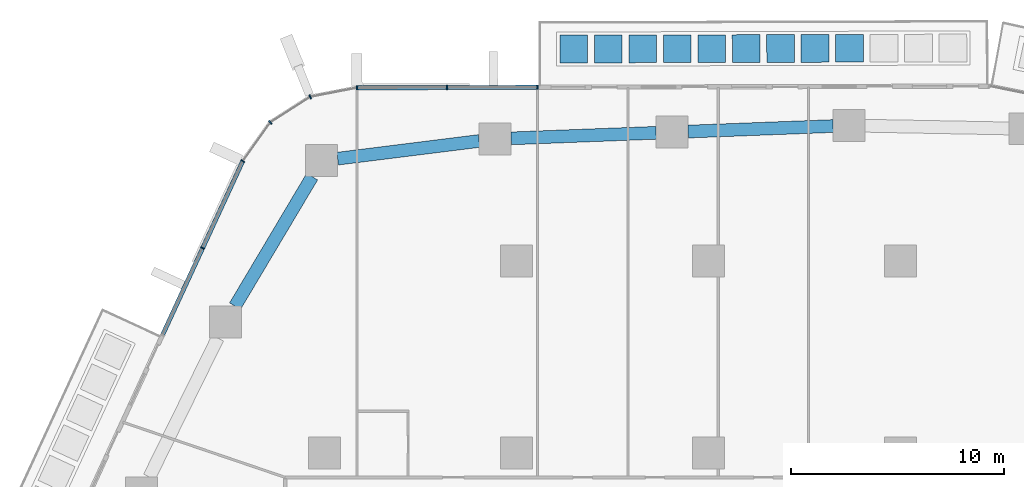
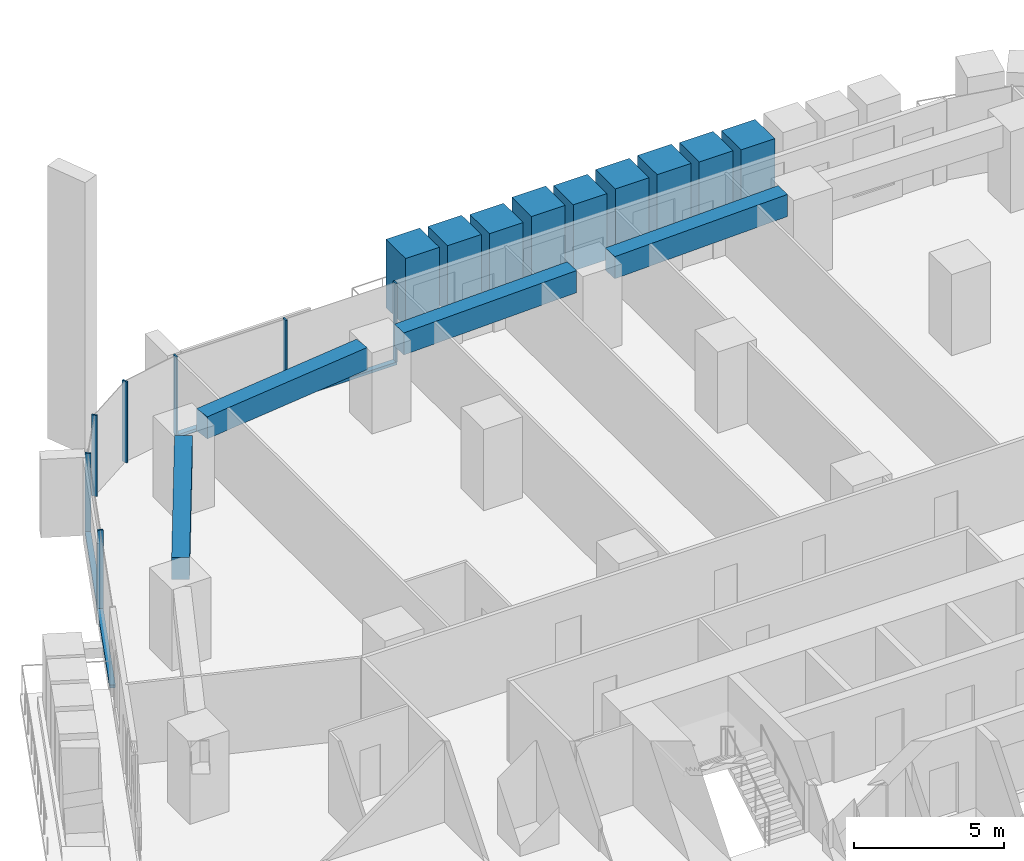
# One storey, part 9 of 27: 18 members, 4 beams, 3 elements without a shape of their own.
"""IFC4 building model written with IfcOpenShell, lengths in metres."""

from ifc_helpers import new_model, si_unit, direction, frame, origin, origin_2d, place, context, subcontext, project, spatial, rectangle, extrude, material, layer, layer_set, material_profile, profile_set, type_object, element, aggregate, save


model = new_model("IFC4")

# Units and contexts
model_context = context("Model", 3, precision=1e-05, world=origin(), true_north=direction((0.0, 1.0)))
body_context = subcontext(model_context, "Body", "Model", "MODEL_VIEW")
ifc_project = project(units=[si_unit("LENGTHUNIT", "METRE"), si_unit("AREAUNIT", "SQUARE_METRE"), si_unit("VOLUMEUNIT", "CUBIC_METRE"), si_unit("PLANEANGLEUNIT", "RADIAN"), si_unit("MASSUNIT", "GRAM", prefix="KILO")], contexts=[model_context])

# Site, building, storey
site_placement = place(None, origin())
site = spatial("IfcSite", under=ifc_project, at=site_placement, CompositionType="ELEMENT")
building_placement = place(site_placement, origin())
building = spatial("IfcBuilding", under=site, at=building_placement, Name="Dongbaek Canopy Tower", CompositionType="ELEMENT")
storey_placement = place(building_placement, frame((0.0, 0.0, 55.10009765625)))
storey = spatial("IfcBuildingStorey", under=building, at=storey_placement, Name="L09", CompositionType="ELEMENT", Elevation=55.10009765625)

# Curtain wall, members
ifc_material_1 = material(Name="Aluminium 6063-T6 pale anodised", Category="aluminium")
ifc_layer = layer(ifc_material_1, 0.199951171875)
ifc_layer_set = layer_set([ifc_layer], Name="CW-1 unitised tower curtain wall")
curtain_wall_type = type_object("IfcCurtainWallType", Name="CW-1 unitised tower curtain wall", PredefinedType="NOTDEFINED", material=ifc_layer_set)
curtain_wall_1_placement = place(storey_placement, origin())
curtain_wall_1 = element("IfcCurtainWall", 1, at=curtain_wall_1_placement, inside=storey, type_object=curtain_wall_type, Name="CW-1 curtain wall F1.1", PredefinedType="NOTDEFINED")
ifc_material_2 = material(Name="Aluminium 6063-T6 pale anodised", Category="aluminium")
ifc_material_profile_1 = material_profile(ifc_material_2, rectangle(XDim=0.199951171875, YDim=0.06005859375, at=origin_2d()), Name="CW-1 mullion 60 x 200")
ifc_profile_set_1 = profile_set([ifc_material_profile_1], Name="Aluminium 6063-T6 pale anodised")
member_type_1 = type_object("IfcMemberType", Name="CW-1 mullion 60 x 200", PredefinedType="MULLION", material=ifc_profile_set_1)
member_1_placement = place(storey_placement, frame((-8.0205078125, 35.13623046875, 0.119873046875), z_axis=(0.0, 0.0, 1.0), x_axis=(-0.002665570299, 0.999996447361, 0.0)))
member_1 = element("IfcMember", 2, at=member_1_placement, type_object=member_type_1, Name="CW-1 mullion F1.1.1", PredefinedType="MULLION", context=body_context, shape_type="SweptSolid", body=[
    extrude(rectangle(XDim=0.199951171875, YDim=0.06005859375, at=origin_2d()), origin(), (0.0, 0.0, 1.0), 3.179931640625),
])
member_2_placement = place(storey_placement, frame((-12.258056640625, 35.124755859375, 0.119873046875), z_axis=(0.0, 0.0, 1.0), x_axis=(-0.002665570299, 0.999996447361, 0.0)))
member_2 = element("IfcMember", 3, at=member_2_placement, type_object=member_type_1, Name="CW-1 mullion F1.1.2", PredefinedType="MULLION", context=body_context, shape_type="SweptSolid", body=[
    extrude(rectangle(XDim=0.199951171875, YDim=0.06005859375, at=origin_2d()), origin(), (0.0, 0.0, 1.0), 3.179931640625),
])
member_3_placement = place(storey_placement, frame((-16.486083984375, 35.113525390625, 0.119873046875), z_axis=(0.0, 0.0, 1.0), x_axis=(-0.002665570299, 0.999996447361, 0.0)))
member_3 = element("IfcMember", 4, at=member_3_placement, type_object=member_type_1, Name="CW-1 mullion F1.1.3", PredefinedType="MULLION", context=body_context, shape_type="SweptSolid", body=[
    extrude(rectangle(XDim=0.199951171875, YDim=0.06005859375, at=origin_2d()), origin(), (0.0, 0.0, 1.0), 3.179931640625),
])

curtain_wall_2_placement = place(storey_placement, origin())
curtain_wall_2 = element("IfcCurtainWall", 5, at=curtain_wall_2_placement, inside=storey, type_object=curtain_wall_type, Name="CW-1 curtain wall K2.1", PredefinedType="NOTDEFINED")
member_4_placement = place(storey_placement, frame((-18.6748046875, 34.68798828125, 0.0), z_axis=(0.0, 0.0, 1.0), x_axis=(-0.372155776445, 0.928170285055, 0.0)))
member_4 = element("IfcMember", 6, at=member_4_placement, type_object=member_type_1, Name="CW-1 mullion K2.1.2", PredefinedType="MULLION", context=body_context, shape_type="SweptSolid", body=[
    extrude(rectangle(XDim=0.199951171875, YDim=0.06005859375, at=origin_2d()), origin(), (0.0, 0.0, 1.0), 3.2998046875),
])
member_5_placement = place(storey_placement, frame((-20.543212890625, 33.48876953125, 0.0), z_axis=(0.0, 0.0, 1.0), x_axis=(-0.688918204153, 0.7248390911, 0.0)))
member_5 = element("IfcMember", 7, at=member_5_placement, type_object=member_type_1, Name="CW-1 mullion K2.1.3", PredefinedType="MULLION", context=body_context, shape_type="SweptSolid", body=[
    extrude(rectangle(XDim=0.199951171875, YDim=0.06005859375, at=origin_2d()), origin(), (0.0, 0.0, 1.0), 3.2998046875),
])
member_6_placement = place(storey_placement, frame((-21.84130859375, 31.676025390625, 0.0), z_axis=(0.0, 0.0, 1.0), x_axis=(-0.813024440327, 0.58222955905, 0.0)))
member_6 = element("IfcMember", 8, at=member_6_placement, type_object=member_type_1, Name="CW-1 mullion K2.1.4", PredefinedType="MULLION", context=body_context, shape_type="SweptSolid", body=[
    extrude(rectangle(XDim=0.199951171875, YDim=0.06005859375, at=origin_2d()), origin(), (0.0, 0.0, 1.0), 3.2998046875),
])
aggregate(curtain_wall_2, [member_4, member_5, member_6])

# Curtain wall, member
curtain_wall_3_placement = place(storey_placement, origin())
curtain_wall_3 = element("IfcCurtainWall", 9, at=curtain_wall_3_placement, inside=storey, type_object=curtain_wall_type, Name="CW-1 curtain wall F2.1", PredefinedType="NOTDEFINED")
member_7_placement = place(storey_placement, frame((-23.71923828125, 27.604248046875, 0.119873046875), z_axis=(0.0, 0.0, 1.0), x_axis=(-0.908073315942, 0.418811237761, 0.0)))
member_7 = element("IfcMember", 10, at=member_7_placement, type_object=member_type_1, Name="CW-1 mullion F2.1.2", PredefinedType="MULLION", context=body_context, shape_type="SweptSolid", body=[
    extrude(rectangle(XDim=0.199951171875, YDim=0.06005859375, at=origin_2d()), origin(), (0.0, 0.0, 1.0), 3.179931640625),
])

# Member
ifc_material_3 = material(Name="Aluminium 6063-T6 pale anodised", Category="aluminium")
ifc_material_profile_2 = material_profile(ifc_material_3, rectangle(XDim=0.199951171875, YDim=0.1201171875, at=origin_2d()), Name="CW-1 transom 120 x 200")
ifc_profile_set_2 = profile_set([ifc_material_profile_2], Name="Aluminium 6063-T6 pale anodised")
member_type_2 = type_object("IfcMemberType", Name="CW-1 transom 120 x 200", PredefinedType="USERDEFINED", material=ifc_profile_set_2)
member_8_placement = place(storey_placement, frame((-8.0205078125, 35.13623046875, 0.059814453125), z_axis=(-0.99999640333, -0.002682037938, 0.0), x_axis=(0.002682037938, -0.99999640333, 0.0)))
member_8 = element("IfcMember", 11, at=member_8_placement, type_object=member_type_2, Name="CW-1 transom F1.1.1", ObjectType="TRANSOM", PredefinedType="USERDEFINED", context=body_context, shape_type="SweptSolid", body=[
    extrude(rectangle(XDim=0.199951171875, YDim=0.1201171875, at=origin_2d()), origin(), (0.0, 0.0, 1.0), 8.465576171875),
])

aggregate(curtain_wall_1, [member_1, member_2, member_3, member_8])

member_9_placement = place(storey_placement, frame((-21.84130859375, 31.676025390625, 0.059814453125), z_axis=(-0.418816716201, -0.908070789218, 0.0), x_axis=(0.908070789218, -0.418816716201, 0.0)))
member_9 = element("IfcMember", 12, at=member_9_placement, type_object=member_type_2, Name="CW-1 transom F2.1.1", ObjectType="TRANSOM", PredefinedType="USERDEFINED", context=body_context, shape_type="SweptSolid", body=[
    extrude(rectangle(XDim=0.199951171875, YDim=0.1201171875, at=origin_2d()), origin(), (0.0, 0.0, 1.0), 8.97705078125),
])

aggregate(curtain_wall_3, [member_7, member_9])

# Beams
ifc_material_4 = material(Name="Concrete C80", Category="concrete")
ifc_material_profile_3 = material_profile(ifc_material_4, rectangle(XDim=0.60009765625, YDim=0.89990234375, at=origin_2d()), Name="RC EDGE BEAM 600x900 C80")
ifc_profile_set_3 = profile_set([ifc_material_profile_3], Name="Concrete C80")
beam_type = type_object("IfcBeamType", Name="RC EDGE BEAM 600x900 C80", PredefinedType="BEAM", material=ifc_profile_set_3)
beam_1_placement = place(storey_placement, frame((-22.201416015625, 24.875, 2.849853515625), z_axis=(0.511536684445, 0.859261438951, 0.0), x_axis=(-0.859261438951, 0.511536684445, 0.0)))
element("IfcBeam", 13, at=beam_1_placement, inside=storey, type_object=beam_type, Name="EDGEBEAM:L09:12", PredefinedType="BEAM", context=body_context, shape_type="SweptSolid", body=[
    extrude(rectangle(XDim=0.60009765625, YDim=0.89990234375, at=origin_2d()), origin(), (0.0, 0.0, 1.0), 7.06884765625),
])
beam_2_placement = place(storey_placement, frame((-17.388916015625, 31.79248046875, 2.849853515625), z_axis=(0.992300337098, 0.123854919137, 0.0), x_axis=(-0.123854919137, 0.992300337098, 0.0)))
element("IfcBeam", 14, at=beam_2_placement, inside=storey, type_object=beam_type, Name="EDGEBEAM:L09:13", PredefinedType="BEAM", context=body_context, shape_type="SweptSolid", body=[
    extrude(rectangle(XDim=0.60009765625, YDim=0.89990234375, at=origin_2d()), origin(), (0.0, 0.0, 1.0), 6.684326171875),
])
beam_3_placement = place(storey_placement, frame((-9.256103515625, 32.74267578125, 2.849853515625), z_axis=(0.999265250645, 0.038326999019, 0.0), x_axis=(-0.038326999019, 0.999265250645, 0.0)))
element("IfcBeam", 15, at=beam_3_placement, inside=storey, type_object=beam_type, Name="EDGEBEAM:L09:14", PredefinedType="BEAM", context=body_context, shape_type="SweptSolid", body=[
    extrude(rectangle(XDim=0.60009765625, YDim=0.89990234375, at=origin_2d()), origin(), (0.0, 0.0, 1.0), 6.802978515625),
])
beam_4_placement = place(storey_placement, frame((-0.9580078125, 33.060791015625, 2.849853515625), z_axis=(0.99927189778, 0.038153300073, 0.0), x_axis=(-0.038153300073, 0.99927189778, 0.0)))
element("IfcBeam", 16, at=beam_4_placement, inside=storey, type_object=beam_type, Name="EDGEBEAM:L09:15", PredefinedType="BEAM", context=body_context, shape_type="SweptSolid", body=[
    extrude(rectangle(XDim=0.60009765625, YDim=0.89990234375, at=origin_2d()), origin(), (0.0, 0.0, 1.0), 6.802001953125),
])

# Members
ifc_material_5 = material(Name="Concrete C40/50 planter mass with planting", Category="concrete")
ifc_material_profile_4 = material_profile(ifc_material_5, rectangle(XDim=1.300048828125, YDim=1.300048828125, at=origin_2d()), Name="Terrace PLANTER shrub mass 1300 x 1300")
ifc_profile_set_4 = profile_set([ifc_material_profile_4], Name="Concrete C40/50 planter mass with planting")
member_type_3 = type_object("IfcMemberType", Name="Terrace PLANTER shrub mass 1300 x 1300", PredefinedType="USERDEFINED", material=ifc_profile_set_4)
member_10_placement = place(storey_placement, frame((6.607666015625, 36.965087890625, 0.419921875), z_axis=(0.0, 0.0, 1.0), x_axis=(-0.002665570299, 0.999996447361, 0.0)))
element("IfcMember", 17, at=member_10_placement, inside=storey, type_object=member_type_3, Name="Planter shrubs L09 2.4", ObjectType="PLANTER", PredefinedType="USERDEFINED", context=body_context, shape_type="SweptSolid", body=[
    extrude(rectangle(XDim=1.300048828125, YDim=1.300048828125, at=origin_2d()), origin(), (0.0, 0.0, 1.0), 2.64990234375),
])
member_11_placement = place(storey_placement, frame((4.991943359375, 36.9609375, 0.419921875), z_axis=(0.0, 0.0, 1.0), x_axis=(-0.002665570299, 0.999996447361, 0.0)))
element("IfcMember", 18, at=member_11_placement, inside=storey, type_object=member_type_3, Name="Planter shrubs L09 2.5", ObjectType="PLANTER", PredefinedType="USERDEFINED", context=body_context, shape_type="SweptSolid", body=[
    extrude(rectangle(XDim=1.300048828125, YDim=1.300048828125, at=origin_2d()), origin(), (0.0, 0.0, 1.0), 2.72998046875),
])
member_12_placement = place(storey_placement, frame((3.37646484375, 36.95654296875, 0.419921875), z_axis=(0.0, 0.0, 1.0), x_axis=(-0.002665570299, 0.999996447361, 0.0)))
element("IfcMember", 19, at=member_12_placement, inside=storey, type_object=member_type_3, Name="Planter shrubs L09 2.6", ObjectType="PLANTER", PredefinedType="USERDEFINED", context=body_context, shape_type="SweptSolid", body=[
    extrude(rectangle(XDim=1.300048828125, YDim=1.300048828125, at=origin_2d()), origin(), (0.0, 0.0, 1.0), 2.780029296875),
])
member_13_placement = place(storey_placement, frame((1.7607421875, 36.9521484375, 0.419921875), z_axis=(0.0, 0.0, 1.0), x_axis=(-0.002665570299, 0.999996447361, 0.0)))
element("IfcMember", 20, at=member_13_placement, inside=storey, type_object=member_type_3, Name="Planter shrubs L09 2.7", ObjectType="PLANTER", PredefinedType="USERDEFINED", context=body_context, shape_type="SweptSolid", body=[
    extrude(rectangle(XDim=1.300048828125, YDim=1.300048828125, at=origin_2d()), origin(), (0.0, 0.0, 1.0), 2.77001953125),
])
member_14_placement = place(storey_placement, frame((0.14501953125, 36.947998046875, 0.419921875), z_axis=(0.0, 0.0, 1.0), x_axis=(-0.002665570299, 0.999996447361, 0.0)))
element("IfcMember", 21, at=member_14_placement, inside=storey, type_object=member_type_3, Name="Planter shrubs L09 2.8", ObjectType="PLANTER", PredefinedType="USERDEFINED", context=body_context, shape_type="SweptSolid", body=[
    extrude(rectangle(XDim=1.300048828125, YDim=1.300048828125, at=origin_2d()), origin(), (0.0, 0.0, 1.0), 2.68994140625),
])
member_15_placement = place(storey_placement, frame((-1.470458984375, 36.943603515625, 0.419921875), z_axis=(0.0, 0.0, 1.0), x_axis=(-0.002665570299, 0.999996447361, 0.0)))
element("IfcMember", 22, at=member_15_placement, inside=storey, type_object=member_type_3, Name="Planter shrubs L09 2.9", ObjectType="PLANTER", PredefinedType="USERDEFINED", context=body_context, shape_type="SweptSolid", body=[
    extrude(rectangle(XDim=1.300048828125, YDim=1.300048828125, at=origin_2d()), origin(), (0.0, 0.0, 1.0), 2.780029296875),
])
member_16_placement = place(storey_placement, frame((-3.086181640625, 36.939208984375, 0.419921875), z_axis=(0.0, 0.0, 1.0), x_axis=(-0.002665570299, 0.999996447361, 0.0)))
element("IfcMember", 23, at=member_16_placement, inside=storey, type_object=member_type_3, Name="Planter shrubs L09 2.10", ObjectType="PLANTER", PredefinedType="USERDEFINED", context=body_context, shape_type="SweptSolid", body=[
    extrude(rectangle(XDim=1.300048828125, YDim=1.300048828125, at=origin_2d()), origin(), (0.0, 0.0, 1.0), 2.64990234375),
])
member_17_placement = place(storey_placement, frame((-4.701904296875, 36.93505859375, 0.419921875), z_axis=(0.0, 0.0, 1.0), x_axis=(-0.002665570299, 0.999996447361, 0.0)))
element("IfcMember", 24, at=member_17_placement, inside=storey, type_object=member_type_3, Name="Planter shrubs L09 2.11", ObjectType="PLANTER", PredefinedType="USERDEFINED", context=body_context, shape_type="SweptSolid", body=[
    extrude(rectangle(XDim=1.300048828125, YDim=1.300048828125, at=origin_2d()), origin(), (0.0, 0.0, 1.0), 2.72998046875),
])
member_18_placement = place(storey_placement, frame((-6.3173828125, 36.9306640625, 0.419921875), z_axis=(0.0, 0.0, 1.0), x_axis=(-0.002665570299, 0.999996447361, 0.0)))
element("IfcMember", 25, at=member_18_placement, inside=storey, type_object=member_type_3, Name="Planter shrubs L09 2.12", ObjectType="PLANTER", PredefinedType="USERDEFINED", context=body_context, shape_type="SweptSolid", body=[
    extrude(rectangle(XDim=1.300048828125, YDim=1.300048828125, at=origin_2d()), origin(), (0.0, 0.0, 1.0), 2.780029296875),
])

save(model, "model.ifc")
